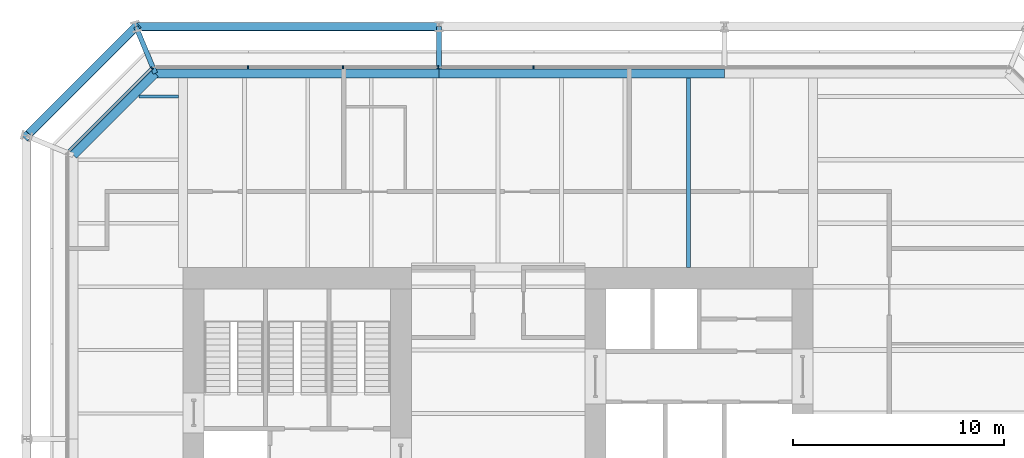
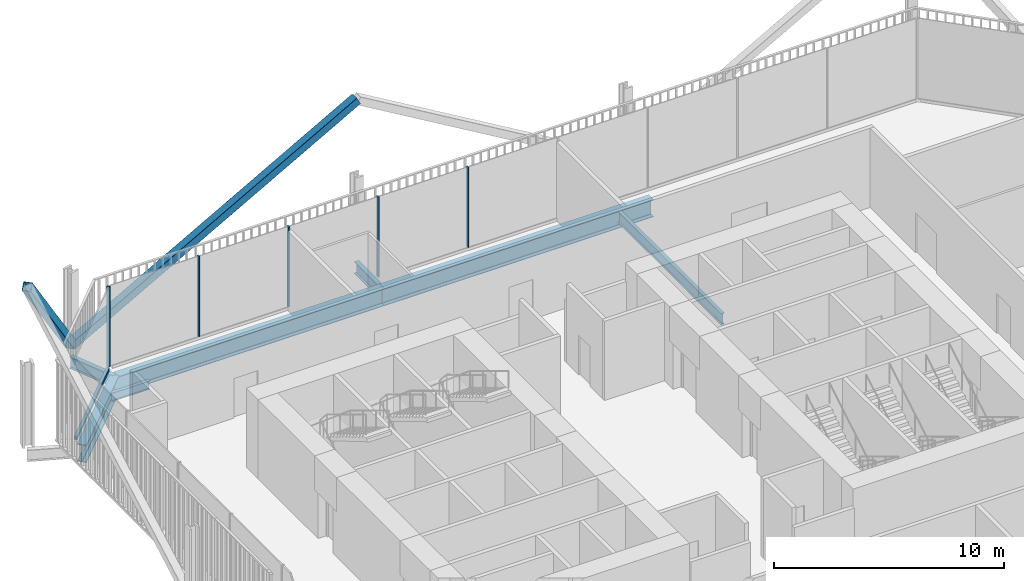
# One storey, part 12 of 21: 8 members, 7 beams, 2 elements without a shape of their own.
"""IFC4 building model written with IfcOpenShell, lengths in metres."""

from ifc_helpers import new_model, si_unit, direction, frame, origin, origin_2d, place, context, subcontext, project, spatial, rectangle, hollow_rectangle, i_section, extrude, material, layer, layer_set, material_profile, profile_set, type_object, element, aggregate, save


model = new_model("IFC4")

# Units and contexts
model_context = context("Model", 3, precision=1e-05, world=origin(), true_north=direction((0.0, 1.0)))
body_context = subcontext(model_context, "Body", "Model", "MODEL_VIEW")
ifc_project = project(units=[si_unit("LENGTHUNIT", "METRE"), si_unit("AREAUNIT", "SQUARE_METRE"), si_unit("VOLUMEUNIT", "CUBIC_METRE"), si_unit("PLANEANGLEUNIT", "RADIAN"), si_unit("MASSUNIT", "GRAM", prefix="KILO")], contexts=[model_context])

# Site, building, storey
site_placement = place(None, origin())
site = spatial("IfcSite", under=ifc_project, at=site_placement, CompositionType="ELEMENT")
building_placement = place(site_placement, origin())
building = spatial("IfcBuilding", under=site, at=building_placement, Name="Millrace Tower", CompositionType="ELEMENT")
storey_placement = place(building_placement, frame((0.0, 0.0, 95.199951171875)))
storey = spatial("IfcBuildingStorey", under=building, at=storey_placement, Name="L21", CompositionType="ELEMENT", Elevation=95.199951171875)

# Curtain wall, members
ifc_material_1 = material(Name="Aluminium and glass", Category="aluminium")
ifc_layer = layer(ifc_material_1, 0.14990234375)
ifc_layer_set = layer_set([ifc_layer], Name="Aluminium and glass")
curtain_wall_type = type_object("IfcCurtainWallType", Name="CW-3 telecom floor curtain wall", PredefinedType="NOTDEFINED", material=ifc_layer_set)
placement = place(storey_placement, origin())
curtain_wall_1 = element("IfcCurtainWall", 1, at=placement, inside=storey, type_object=curtain_wall_type, Name="Curtain wall B-F06 L21", PredefinedType="NOTDEFINED")
ifc_material_2 = material(Name="Aluminium", Category="aluminium")
ifc_material_profile_1 = material_profile(ifc_material_2, rectangle(XDim=0.06494140625, YDim=0.14990234375, at=origin_2d()))
ifc_profile_set_1 = profile_set([ifc_material_profile_1], Name="Aluminium")
member_type_1 = type_object("IfcMemberType", Name="CW-3 telecom floor curtain wall mullion", PredefinedType="MULLION", material=ifc_profile_set_1)
member_1_placement = place(storey_placement, frame((1.66748046875, 19.375, 0.150146484375), z_axis=(0.0, 0.0, 1.0), x_axis=(-1.0, 0.0, 0.0)))
member_1 = element("IfcMember", 2, at=member_1_placement, type_object=member_type_1, Name="CW3 mullion B-F06.6", PredefinedType="MULLION", context=body_context, shape_type="SweptSolid", body=[
    extrude(rectangle(XDim=0.06494140625, YDim=0.14990234375, at=origin_2d()), origin(), (0.0, 0.0, 1.0), 4.25),
])
member_2_placement = place(storey_placement, frame((-2.83251953125, 19.375, 0.150146484375), z_axis=(0.0, 0.0, 1.0), x_axis=(-1.0, 0.0, 0.0)))
member_2 = element("IfcMember", 3, at=member_2_placement, type_object=member_type_1, Name="CW3 mullion B-F06.7", PredefinedType="MULLION", context=body_context, shape_type="SweptSolid", body=[
    extrude(rectangle(XDim=0.06494140625, YDim=0.14990234375, at=origin_2d()), origin(), (0.0, 0.0, 1.0), 4.25),
])
member_3_placement = place(storey_placement, frame((-7.33251953125, 19.375, 0.150146484375), z_axis=(0.0, 0.0, 1.0), x_axis=(-1.0, 0.0, 0.0)))
member_3 = element("IfcMember", 4, at=member_3_placement, type_object=member_type_1, Name="CW3 mullion B-F06.8", PredefinedType="MULLION", context=body_context, shape_type="SweptSolid", body=[
    extrude(rectangle(XDim=0.06494140625, YDim=0.14990234375, at=origin_2d()), origin(), (0.0, 0.0, 1.0), 4.25),
])
member_4_placement = place(storey_placement, frame((-11.83251953125, 19.375, 0.150146484375), z_axis=(0.0, 0.0, 1.0), x_axis=(-1.0, 0.0, 0.0)))
member_4 = element("IfcMember", 5, at=member_4_placement, type_object=member_type_1, Name="CW3 mullion B-F06.9", PredefinedType="MULLION", context=body_context, shape_type="SweptSolid", body=[
    extrude(rectangle(XDim=0.06494140625, YDim=0.14990234375, at=origin_2d()), origin(), (0.0, 0.0, 1.0), 4.25),
])
aggregate(curtain_wall_1, [member_1, member_2, member_3, member_4])

curtain_wall_2 = element("IfcCurtainWall", 6, at=placement, inside=storey, type_object=curtain_wall_type, Name="Curtain wall B-F07 L21", PredefinedType="NOTDEFINED")
member_5_placement = place(storey_placement, frame((-16.3759765625, 19.330078125, 0.150146484375), z_axis=(0.0, 0.0, 1.0), x_axis=(-0.707106781187, -0.707106781187, 0.0)))
member_5 = element("IfcMember", 7, at=member_5_placement, type_object=member_type_1, Name="CW3 mullion B-F07.1", PredefinedType="MULLION", context=body_context, shape_type="SweptSolid", body=[
    extrude(rectangle(XDim=0.06494140625, YDim=0.14990234375, at=origin_2d()), origin(), (0.0, 0.0, 1.0), 4.25),
])
ifc_material_3 = material(Name="Aluminium", Category="aluminium")
ifc_material_profile_2 = material_profile(ifc_material_3, rectangle(XDim=0.14990234375, YDim=0.14990234375, at=origin_2d()))
ifc_profile_set_2 = profile_set([ifc_material_profile_2], Name="Aluminium")
member_type_2 = type_object("IfcMemberType", Name="CW-3 telecom floor curtain wall transom", PredefinedType="USERDEFINED", material=ifc_profile_set_2)
member_6_placement = place(storey_placement, frame((-16.423828125, 19.2822265625, 0.074951171875), z_axis=(-0.707106781187, -0.707106781187, 0.0), x_axis=(0.707106781187, -0.707106781187, 0.0)))
member_6 = element("IfcMember", 8, at=member_6_placement, type_object=member_type_2, Name="CW3 transom B-F07.1", ObjectType="TRANSOM", PredefinedType="USERDEFINED", context=body_context, shape_type="SweptSolid", body=[
    extrude(rectangle(XDim=0.14990234375, YDim=0.14990234375, at=origin_2d()), origin(), (0.0, 0.0, 1.0), 5.45654296875),
])
aggregate(curtain_wall_2, [member_5, member_6])

# Members
ifc_material_4 = material(Name="Steel ASTM A500 Grade C", Category="steel")
ifc_material_profile_3 = material_profile(ifc_material_4, hollow_rectangle(XDim=0.406494140625, YDim=0.406494140625, WallThickness=0.0126953125, InnerFilletRadius=0.00634765625, OuterFilletRadius=0.01904296875, at=origin_2d()))
ifc_profile_set_3 = profile_set([ifc_material_profile_3], Name="Steel ASTM A500 Grade C")
member_type_3 = type_object("IfcMemberType", Name="Exoskeleton brace HSS16x16x1/2", PredefinedType="BRACE", material=ifc_profile_set_3)
member_7_placement = place(storey_placement, frame((-17.12841796875, 21.300048828125, 0.400146484375), z_axis=(0.873125840427, 0.0, 0.487494888976), x_axis=(0.0, 1.0, 0.0)))
element("IfcMember", 9, at=member_7_placement, inside=storey, type_object=member_type_3, Name="BRC-B-L21-12", PredefinedType="BRACE", context=body_context, shape_type="SweptSolid", body=[
    extrude(hollow_rectangle(XDim=0.406494140625, YDim=0.406494140625, WallThickness=0.0126953125, InnerFilletRadius=0.00634765625, OuterFilletRadius=0.01904296875, at=origin_2d()), origin(), (0.0, 0.0, 1.0), 16.410400390625),
])
member_8_placement = place(storey_placement, frame((-17.12841796875, 21.300048828125, 0.400146484375), z_axis=(-0.477116280189, -0.477116280189, 0.738051563482), x_axis=(0.707106781187, -0.707106781187, 0.0)))
element("IfcMember", 10, at=member_8_placement, inside=storey, type_object=member_type_3, Name="BRC-B-L21-13", PredefinedType="BRACE", context=body_context, shape_type="SweptSolid", body=[
    extrude(hollow_rectangle(XDim=0.406494140625, YDim=0.406494140625, WallThickness=0.0126953125, InnerFilletRadius=0.00634765625, OuterFilletRadius=0.01904296875, at=origin_2d()), origin(), (0.0, 0.0, 1.0), 10.83935546875),
])

# Beams
ifc_material_5 = material(Name="Steel ASTM A992 Grade 50", Category="steel")
ifc_material_profile_4 = material_profile(ifc_material_5, i_section(OverallWidth=0.15234375, OverallDepth=0.449462890625, WebThickness=0.007568359375, FlangeThickness=0.0107421875, FilletRadius=0.01025390625, at=origin_2d()))
ifc_profile_set_4 = profile_set([ifc_material_profile_4], Name="Steel ASTM A992 Grade 50")
beam_type_1 = type_object("IfcBeamType", Name="Floor beam W18x35", PredefinedType="JOIST", material=ifc_profile_set_4)
beam_1_placement = place(storey_placement, frame((-16.995361328125, 18.0, -0.4248046875), z_axis=(1.0, 0.0, 0.0), x_axis=(0.0, 1.0, 0.0)))
element("IfcBeam", 11, at=beam_1_placement, inside=storey, type_object=beam_type_1, Name="BM-B-L21-S1-S038", PredefinedType="JOIST", context=body_context, shape_type="SweptSolid", body=[
    extrude(i_section(OverallWidth=0.15234375, OverallDepth=0.449462890625, WebThickness=0.007568359375, FlangeThickness=0.0107421875, FilletRadius=0.01025390625, at=origin_2d()), origin(), (0.0, 0.0, 1.0), 1.884521484375),
])
ifc_material_6 = material(Name="Steel ASTM A992 Grade 50", Category="steel")
ifc_material_profile_5 = material_profile(ifc_material_6, i_section(OverallWidth=0.177978515625, OverallDepth=0.599365234375, WebThickness=0.010009765625, FlangeThickness=0.012939453125, FilletRadius=0.012939453125, at=origin_2d()))
ifc_profile_set_5 = profile_set([ifc_material_profile_5], Name="Steel ASTM A992 Grade 50")
beam_type_2 = type_object("IfcBeamType", Name="Floor beam W24x55", PredefinedType="JOIST", material=ifc_profile_set_5)
beam_2_placement = place(storey_placement, frame((9.0, 9.89990234375, -0.499755859375), z_axis=(0.0, 1.0, 0.0), x_axis=(-1.0, 0.0, 0.0)))
element("IfcBeam", 12, at=beam_2_placement, inside=storey, type_object=beam_type_2, Name="BM-B-L21-S1-S054", PredefinedType="JOIST", context=body_context, shape_type="SweptSolid", body=[
    extrude(i_section(OverallWidth=0.177978515625, OverallDepth=0.599365234375, WebThickness=0.010009765625, FlangeThickness=0.012939453125, FilletRadius=0.012939453125, at=origin_2d()), origin(), (0.0, 0.0, 1.0), 8.98095703125),
])
ifc_material_7 = material(Name="Steel ASTM A992 Grade 50", Category="steel")
ifc_material_profile_6 = material_profile(ifc_material_7, i_section(OverallWidth=0.23046875, OverallDepth=0.6171875, WebThickness=0.01318359375, FlangeThickness=0.022216796875, FilletRadius=0.012939453125, at=origin_2d()))
ifc_profile_set_6 = profile_set([ifc_material_profile_6], Name="Steel ASTM A992 Grade 50")
beam_type_3 = type_object("IfcBeamType", Name="Link beam W24x94", PredefinedType="BEAM", material=ifc_profile_set_6)
beam_3_placement = place(storey_placement, frame((-16.213134765625, 19.09033203125, -0.508544921875), z_axis=(-0.382679341507, 0.923881226989, 0.0), x_axis=(-0.923881226989, -0.382679341507, 0.0)))
element("IfcBeam", 13, at=beam_3_placement, inside=storey, type_object=beam_type_3, Name="LNK-B-L21-S1-05", PredefinedType="BEAM", context=body_context, shape_type="SweptSolid", body=[
    extrude(i_section(OverallWidth=0.23046875, OverallDepth=0.6171875, WebThickness=0.01318359375, FlangeThickness=0.022216796875, FilletRadius=0.012939453125, at=origin_2d()), origin(), (0.0, 0.0, 1.0), 2.391845703125),
])
beam_4_placement = place(storey_placement, frame((-2.800048828125, 19.300048828125, -0.508544921875), z_axis=(0.0, 1.0, 0.0), x_axis=(-1.0, 0.0, 0.0)))
element("IfcBeam", 14, at=beam_4_placement, inside=storey, type_object=beam_type_3, Name="LNK-B-L21-S1-06", PredefinedType="BEAM", context=body_context, shape_type="SweptSolid", body=[
    extrude(i_section(OverallWidth=0.23046875, OverallDepth=0.6171875, WebThickness=0.01318359375, FlangeThickness=0.022216796875, FilletRadius=0.012939453125, at=origin_2d()), origin(), (0.0, 0.0, 1.0), 2.0),
])
ifc_material_8 = material(Name="Steel ASTM A992 Grade 50", Category="steel")
ifc_material_profile_7 = material_profile(ifc_material_8, i_section(OverallWidth=0.419189453125, OverallDepth=0.927001953125, WebThickness=0.019287109375, FlangeThickness=0.031982421875, FilletRadius=0.024169921875, at=origin_2d()))
ifc_profile_set_7 = profile_set([ifc_material_profile_7], Name="Steel ASTM A992 Grade 50")
beam_type_4 = type_object("IfcBeamType", Name="Ring beam medium span W36x231", PredefinedType="SPANDREL", material=ifc_profile_set_7)
beam_5_placement = place(storey_placement, frame((-16.213134765625, 19.09033203125, -0.66357421875), z_axis=(1.0, 0.0, 0.0), x_axis=(0.0, 1.0, 0.0)))
element("IfcBeam", 15, at=beam_5_placement, inside=storey, type_object=beam_type_4, Name="RNG-B-L21-S1-05", PredefinedType="SPANDREL", context=body_context, shape_type="SweptSolid", body=[
    extrude(i_section(OverallWidth=0.419189453125, OverallDepth=0.927001953125, WebThickness=0.019287109375, FlangeThickness=0.031982421875, FilletRadius=0.024169921875, at=origin_2d()), origin(), (0.0, 0.0, 1.0), 13.4130859375),
])
beam_6_placement = place(storey_placement, frame((-2.800048828125, 19.09033203125, -0.66357421875), z_axis=(1.0, 0.0, 0.0), x_axis=(0.0, 1.0, 0.0)))
element("IfcBeam", 16, at=beam_6_placement, inside=storey, type_object=beam_type_4, Name="RNG-B-L21-S1-06", PredefinedType="SPANDREL", context=body_context, shape_type="SweptSolid", body=[
    extrude(i_section(OverallWidth=0.419189453125, OverallDepth=0.927001953125, WebThickness=0.019287109375, FlangeThickness=0.031982421875, FilletRadius=0.024169921875, at=origin_2d()), origin(), (0.0, 0.0, 1.0), 13.5),
])
ifc_material_9 = material(Name="Steel ASTM A992 Grade 50", Category="steel")
ifc_material_profile_8 = material_profile(ifc_material_9, i_section(OverallWidth=0.419189453125, OverallDepth=0.927001953125, WebThickness=0.019287109375, FlangeThickness=0.031982421875, FilletRadius=0.024169921875, at=origin_2d()))
ifc_profile_set_8 = profile_set([ifc_material_profile_8], Name="Steel ASTM A992 Grade 50")
beam_type_5 = type_object("IfcBeamType", Name="Ring beam short span W36x231", PredefinedType="SPANDREL", material=ifc_profile_set_8)
beam_7_placement = place(storey_placement, frame((-20.09033203125, 15.213134765625, -0.66357421875), z_axis=(0.707106781187, 0.707106781187, 0.0), x_axis=(-0.707106781187, 0.707106781187, 0.0)))
element("IfcBeam", 17, at=beam_7_placement, inside=storey, type_object=beam_type_5, Name="RNG-B-L21-S1-04", PredefinedType="SPANDREL", context=body_context, shape_type="SweptSolid", body=[
    extrude(i_section(OverallWidth=0.419189453125, OverallDepth=0.927001953125, WebThickness=0.019287109375, FlangeThickness=0.031982421875, FilletRadius=0.024169921875, at=origin_2d()), origin(), (0.0, 0.0, 1.0), 5.483154296875),
])

save(model, "model.ifc")
